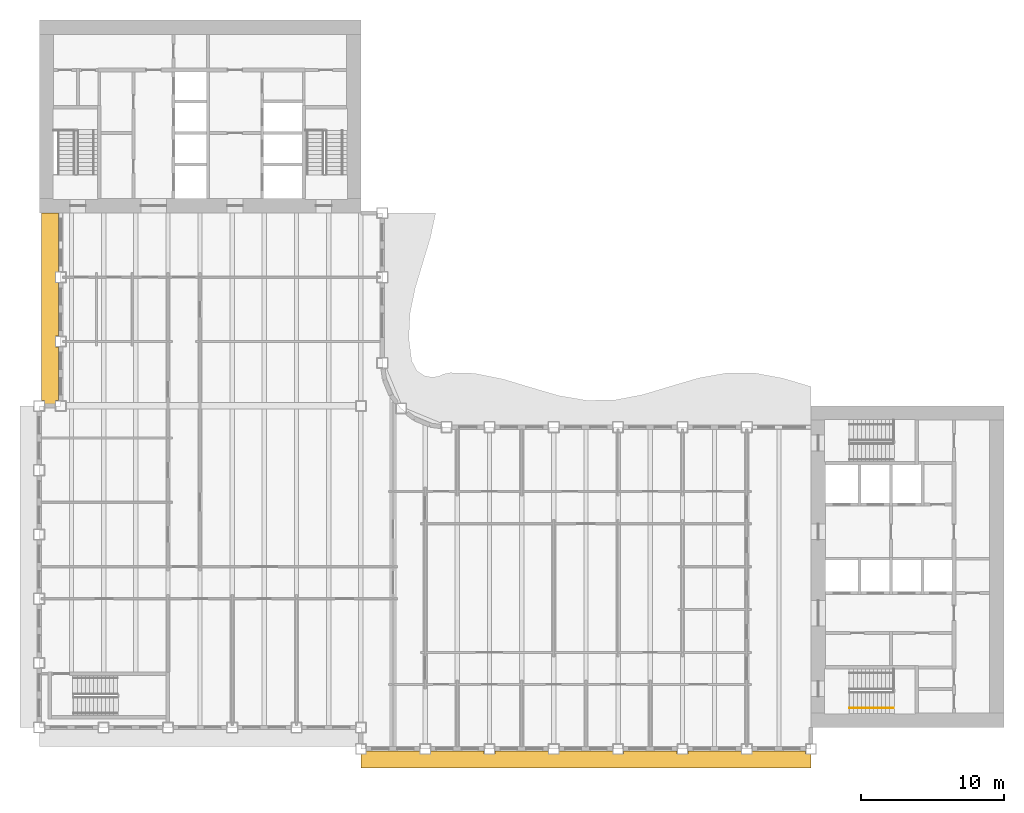
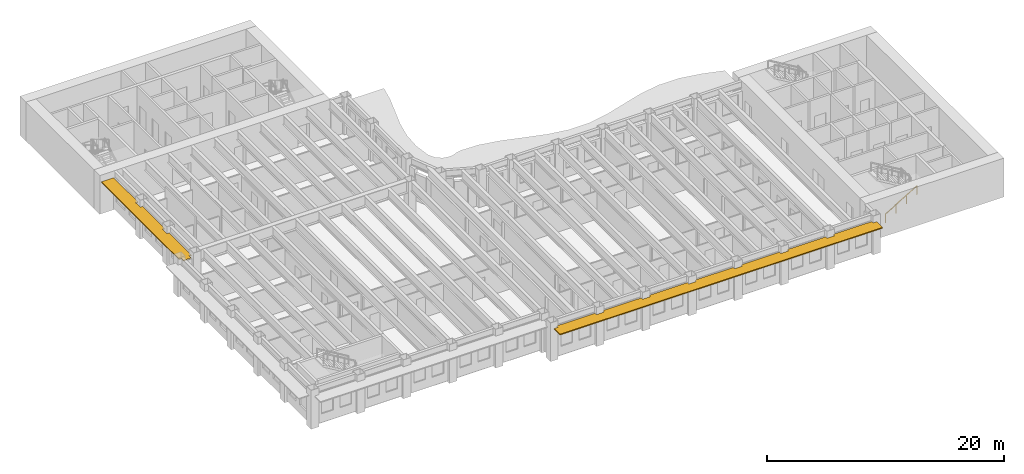
# One storey, part 13 of 17: 2 shading devices, 1 railing.
"""IFC4 building model written with IfcOpenShell, lengths in metres."""

from ifc_helpers import new_model, si_unit, direction, frame, origin, origin_2d, place, context, subcontext, project, spatial, polyline, rectangle, outline, extrude, material, layer, layer_set, type_object, element, save


model = new_model("IFC4")

# Units and contexts
model_context = context("Model", 3, precision=1e-05, world=origin(), true_north=direction((0.0, 1.0)))
body_context = subcontext(model_context, "Body", "Model", "MODEL_VIEW")
ifc_project = project(units=[si_unit("LENGTHUNIT", "METRE"), si_unit("AREAUNIT", "SQUARE_METRE"), si_unit("VOLUMEUNIT", "CUBIC_METRE"), si_unit("PLANEANGLEUNIT", "RADIAN"), si_unit("MASSUNIT", "GRAM", prefix="KILO")], contexts=[model_context])

# Site, building, storey
site_placement = place(None, origin())
site = spatial("IfcSite", under=ifc_project, at=site_placement, CompositionType="ELEMENT")
building_placement = place(site_placement, origin())
building = spatial("IfcBuilding", under=site, at=building_placement, Name="Sennacour Bend Tower", CompositionType="ELEMENT")
storey_placement = place(building_placement, frame((0.0, 0.0, 199.0)))
storey = spatial("IfcBuildingStorey", under=building, at=storey_placement, Name="L45", CompositionType="ELEMENT", Elevation=199.0)

# Railing
ifc_material_1 = material(Name="Stainless steel", Category="steel")
railing_type = type_object("IfcRailingType", Name="RL-HANDRAIL-900", PredefinedType="HANDRAIL", material=ifc_material_1)
railing_placement = place(storey_placement, frame((56.699951171875, 1.35009765625, 0.166748046875)))
element("IfcRailing", 1, at=railing_placement, inside=storey, type_object=railing_type, Name="L45 SA1 stair handrail 1", PredefinedType="HANDRAIL", context=body_context, shape_type="SweptSolid", body=[
    extrude(rectangle(XDim=0.048095703125, YDim=0.048095703125, at=origin_2d()), frame((0.0, 0.0, 0.8759765625), z_axis=(0.859308565015, 0.0, 0.511457515432), x_axis=(0.0, 1.0, 0.0)), (0.0, 0.0, 1.0), 3.58447265625),
    extrude(rectangle(XDim=0.0419921875, YDim=0.0419921875, at=origin_2d()), origin(), (0.0, 0.0, 1.0), 0.851806640625),
    extrude(rectangle(XDim=0.0419921875, YDim=0.0419921875, at=origin_2d()), frame((1.026611328125, 0.0, 0.611083984375)), (0.0, 0.0, 1.0), 0.851806640625),
    extrude(rectangle(XDim=0.0419921875, YDim=0.0419921875, at=origin_2d()), frame((2.053466796875, 0.0, 1.22216796875)), (0.0, 0.0, 1.0), 0.851806640625),
    extrude(rectangle(XDim=0.0419921875, YDim=0.0419921875, at=origin_2d()), frame((3.080078125, 0.0, 1.833251953125)), (0.0, 0.0, 1.0), 0.851806640625),
])

# Shading devices
ifc_material_2 = material(Name="Bronze anodised aluminium", Category="aluminium")
ifc_layer = layer(ifc_material_2, 0.10009765625, Name="Bronze anodised aluminium", Category="aluminium")
ifc_layer_set = layer_set([ifc_layer], Name="Bronze anodised aluminium")
shading_device_type = type_object("IfcShadingDeviceType", Name="SUNSHADE BAND STRAIGHT", PredefinedType="USERDEFINED", material=ifc_layer_set)
shading_device_1_placement = place(storey_placement, frame((0.0, 0.0, 3.056884765625)))
element("IfcShadingDevice", 2, at=shading_device_1_placement, inside=storey, type_object=shading_device_type, Name="Sunshade band L45 A outer face", ObjectType="SUNSHADE", PredefinedType="USERDEFINED", context=body_context, shape_type="SweptSolid", body=[
    extrude(outline(polyline([(26.625, -1.64990234375), (26.625, -1.875), (27.375, -1.875), (27.375, -1.64990234375), (31.125, -1.64990234375), (31.125, -1.875), (31.875, -1.875), (31.875, -1.64990234375), (35.625, -1.64990234375), (35.625, -1.875), (36.375, -1.875), (36.375, -1.64990234375), (40.125, -1.64990234375), (40.125, -1.875), (40.875, -1.875), (40.875, -1.64990234375), (44.625, -1.64990234375), (44.625, -1.875), (45.375, -1.875), (45.375, -1.64990234375), (49.125, -1.64990234375), (49.125, -1.875), (49.875, -1.875), (49.875, -1.64990234375), (53.625, -1.64990234375), (53.625, -1.875), (54.0, -1.875), (54.0, -2.85009765625), (22.5, -2.85009765625), (22.5, -1.875), (22.875, -1.875), (22.875, -1.64990234375), (26.625, -1.64990234375)])), origin(), (0.0, 0.0, 1.0), 0.10009765625),
])
shading_device_2_placement = place(storey_placement, frame((0.0, 0.0, 3.056884765625)))
element("IfcShadingDevice", 3, at=shading_device_2_placement, inside=storey, type_object=shading_device_type, Name="Sunshade band L45 B outer face", ObjectType="SUNSHADE", PredefinedType="USERDEFINED", context=body_context, shape_type="SweptSolid", body=[
    extrude(outline(polyline([(1.35009765625, 31.875), (1.125, 31.875), (1.125, 31.125), (1.35009765625, 31.125), (1.35009765625, 27.375), (1.125, 27.375), (1.125, 26.625), (1.35009765625, 26.625), (1.35009765625, 22.875), (1.125, 22.875), (1.125, 22.5), (0.375, 22.5), (0.375, 22.875), (0.14990234375, 22.875), (0.14990234375, 36.0), (1.35009765625, 36.0), (1.35009765625, 31.875)])), origin(), (0.0, 0.0, 1.0), 0.10009765625),
])

save(model, "model.ifc")
